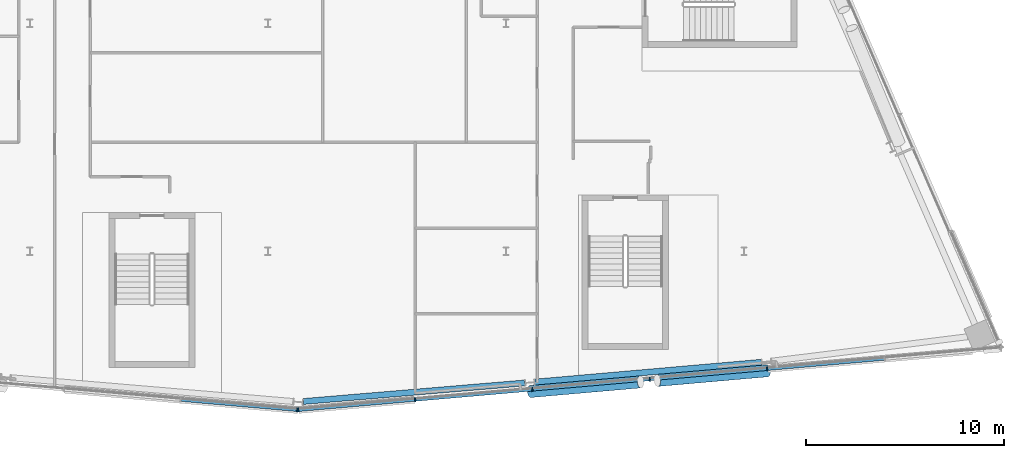
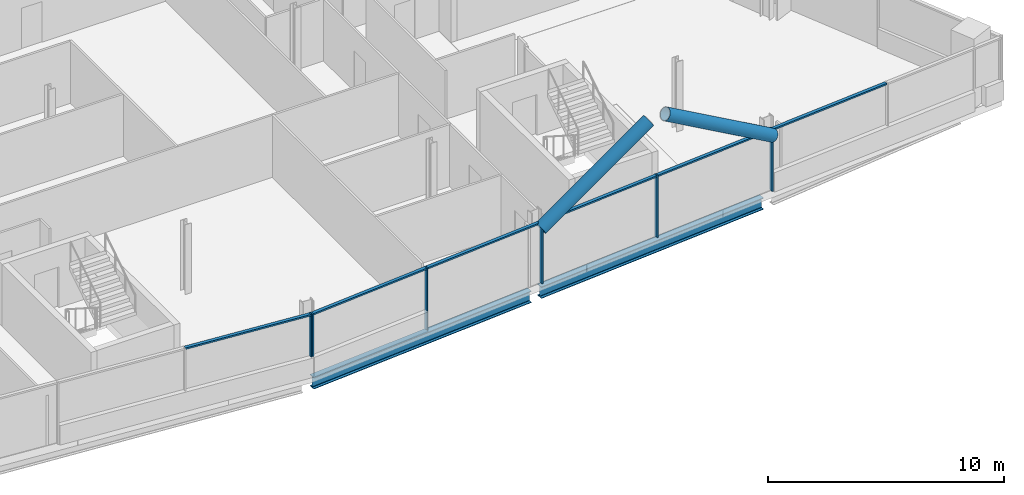
# One storey, part 8 of 25: 14 members, 2 beams, 2 elements without a shape of their own.
"""IFC4 building model written with IfcOpenShell, lengths in metres."""

from ifc_helpers import new_model, si_unit, direction, frame, origin, origin_2d, place, context, subcontext, project, spatial, rectangle, hollow_circle, i_section, extrude, material, material_profile, profile_set, type_object, element, aggregate, save


model = new_model("IFC4")

# Units and contexts
model_context = context("Model", 3, precision=1e-05, world=origin(), true_north=direction((0.0, 1.0)))
body_context = subcontext(model_context, "Body", "Model", "MODEL_VIEW")
ifc_project = project(units=[si_unit("LENGTHUNIT", "METRE"), si_unit("AREAUNIT", "SQUARE_METRE"), si_unit("VOLUMEUNIT", "CUBIC_METRE"), si_unit("PLANEANGLEUNIT", "RADIAN"), si_unit("MASSUNIT", "GRAM", prefix="KILO")], contexts=[model_context])

# Site, building, storey
site_placement = place(None, origin())
site = spatial("IfcSite", under=ifc_project, at=site_placement, CompositionType="ELEMENT")
building_placement = place(site_placement, origin())
building = spatial("IfcBuilding", under=site, at=building_placement, Name="Wharfspan Tower", CompositionType="ELEMENT")
storey_placement = place(building_placement, frame((0.0, 0.0, 225.100098)))
storey = spatial("IfcBuildingStorey", under=building, at=storey_placement, Name="L56", CompositionType="ELEMENT", Elevation=225.100098)

# Beams
ifc_material_1 = material(Name="Steel S355J2", Category="steel")
ifc_material_profile_1 = material_profile(ifc_material_1, i_section(OverallWidth=0.300049, OverallDepth=0.600098, WebThickness=0.015381, FlangeThickness=0.030029, FilletRadius=0.0271, at=origin_2d()))
ifc_profile_set_1 = profile_set([ifc_material_profile_1], Name="Steel S355J2")
beam_type = type_object("IfcBeamType", Name="Edge beam HEB 600", PredefinedType="SPANDREL", material=ifc_profile_set_1)
beam_1_placement = place(storey_placement, frame((49.783691, 3.923828, -0.700195), z_axis=(0.996517, 0.083395, 0.0), x_axis=(-0.083395, 0.996517, 0.0)))
element("IfcBeam", 1, at=beam_1_placement, inside=storey, type_object=beam_type, Name="Edge beam S2 L56 PS1.3 to PS2.1", PredefinedType="SPANDREL", context=body_context, shape_type="SweptSolid", body=[
    extrude(i_section(OverallWidth=0.300049, OverallDepth=0.600098, WebThickness=0.015381, FlangeThickness=0.030029, FilletRadius=0.0271, at=origin_2d()), origin(), (0.0, 0.0, 1.0), 11.200684),
])
beam_2_placement = place(storey_placement, frame((61.459473, 4.901855, -0.700195), z_axis=(0.996195, 0.087157, 0.0), x_axis=(-0.087157, 0.996195, 0.0)))
element("IfcBeam", 2, at=beam_2_placement, inside=storey, type_object=beam_type, Name="Edge beam S2 L56 PS2.1 to PS2.2", PredefinedType="SPANDREL", context=body_context, shape_type="SweptSolid", body=[
    extrude(i_section(OverallWidth=0.300049, OverallDepth=0.600098, WebThickness=0.015381, FlangeThickness=0.030029, FilletRadius=0.0271, at=origin_2d()), origin(), (0.0, 0.0, 1.0), 11.462402),
])

# Curtain wall, member
ifc_material_2 = material(Name="Aluminium 6063-T6", Category="aluminium")
curtain_wall_type = type_object("IfcCurtainWallType", Name="CURTAIN WALL FACETED FRONT", PredefinedType="NOTDEFINED", material=ifc_material_2)
curtain_wall_1_placement = place(storey_placement, origin())
curtain_wall_1 = element("IfcCurtainWall", 3, at=curtain_wall_1_placement, inside=storey, type_object=curtain_wall_type, Name="Curtain wall S1", PredefinedType="NOTDEFINED")
ifc_material_profile_2 = material_profile(ifc_material_2, rectangle(XDim=0.199951, YDim=0.060059, at=origin_2d()))
ifc_profile_set_2 = profile_set([ifc_material_profile_2], Name="Aluminium 6063-T6")
member_type_1 = type_object("IfcMemberType", Name="MULLION FACETED FRONT 60x200", PredefinedType="MULLION", material=ifc_profile_set_2)
member_1_placement = place(storey_placement, frame((49.470215, 3.496826, 1.0), z_axis=(0.0, 0.0, 1.0), x_axis=(0.087156, 0.996197, 0.0)))
member_1 = element("IfcMember", 4, at=member_1_placement, type_object=member_type_1, Name="Curtain wall S1 mullion 6", PredefinedType="MULLION", context=body_context, shape_type="SweptSolid", body=[
    extrude(rectangle(XDim=0.199951, YDim=0.060059, at=origin_2d()), origin(), (0.0, 0.0, 1.0), 2.199951),
])

# Curtain wall, members
curtain_wall_2_placement = place(storey_placement, origin())
curtain_wall_2 = element("IfcCurtainWall", 5, at=curtain_wall_2_placement, inside=storey, type_object=curtain_wall_type, Name="Curtain wall S2", PredefinedType="NOTDEFINED")
member_2_placement = place(storey_placement, frame((49.529785, 3.496826, 1.0), z_axis=(0.0, 0.0, 1.0), x_axis=(-0.087156, 0.996197, 0.0)))
member_2 = element("IfcMember", 6, at=member_2_placement, type_object=member_type_1, Name="Curtain wall S2 mullion 1", PredefinedType="MULLION", context=body_context, shape_type="SweptSolid", body=[
    extrude(rectangle(XDim=0.199951, YDim=0.060059, at=origin_2d()), origin(), (0.0, 0.0, 1.0), 2.199951),
])
member_3_placement = place(storey_placement, frame((55.416748, 4.011719, 0.0), z_axis=(0.0, 0.0, 1.0), x_axis=(-0.087156, 0.996197, 0.0)))
member_3 = element("IfcMember", 7, at=member_3_placement, type_object=member_type_1, Name="Curtain wall S2 mullion 2", PredefinedType="MULLION", context=body_context, shape_type="SweptSolid", body=[
    extrude(rectangle(XDim=0.199951, YDim=0.060059, at=origin_2d()), origin(), (0.0, 0.0, 1.0), 3.199951),
])
member_4_placement = place(storey_placement, frame((61.333252, 4.529541, 0.0), z_axis=(0.0, 0.0, 1.0), x_axis=(-0.087156, 0.996197, 0.0)))
member_4 = element("IfcMember", 8, at=member_4_placement, type_object=member_type_1, Name="Curtain wall S2 mullion 3", PredefinedType="MULLION", context=body_context, shape_type="SweptSolid", body=[
    extrude(rectangle(XDim=0.199951, YDim=0.060059, at=origin_2d()), origin(), (0.0, 0.0, 1.0), 3.199951),
])
member_5_placement = place(storey_placement, frame((67.25, 5.047119, 0.0), z_axis=(0.0, 0.0, 1.0), x_axis=(-0.087156, 0.996197, 0.0)))
member_5 = element("IfcMember", 9, at=member_5_placement, type_object=member_type_1, Name="Curtain wall S2 mullion 4", PredefinedType="MULLION", context=body_context, shape_type="SweptSolid", body=[
    extrude(rectangle(XDim=0.199951, YDim=0.060059, at=origin_2d()), origin(), (0.0, 0.0, 1.0), 3.199951),
])
member_6_placement = place(storey_placement, frame((73.166748, 5.564697, 0.0), z_axis=(0.0, 0.0, 1.0), x_axis=(-0.087156, 0.996197, 0.0)))
member_6 = element("IfcMember", 10, at=member_6_placement, type_object=member_type_1, Name="Curtain wall S2 mullion 5", PredefinedType="MULLION", context=body_context, shape_type="SweptSolid", body=[
    extrude(rectangle(XDim=0.199951, YDim=0.060059, at=origin_2d()), origin(), (0.0, 0.0, 1.0), 3.199951),
])

# Members
ifc_material_3 = material(Name="Steel S460NH", Category="steel")
ifc_material_profile_3 = material_profile(ifc_material_3, hollow_circle(Radius=0.304932, WallThickness=0.024902, at=origin_2d()))
ifc_profile_set_3 = profile_set([ifc_material_profile_3], Name="Steel S460NH")
member_type_2 = type_object("IfcMemberType", Name="Mega brace CHS 610x25", PredefinedType="BRACE", material=ifc_profile_set_3)
for number, where, z_axis, x_axis, name in (
    (11, (61.241943, 4.426025, 2.899902), (0.853829, 0.074698, 0.515166), (-0.087155, 0.996197, 3e-06), "Mega brace S2 L57 part 1"),
    (12, (73.175049, 5.469971, 2.899902), (-0.853829, -0.074698, 0.515166), (0.087155, -0.996197, 3e-06), "Mega brace S2 L57 part 3"),
):
    element("IfcMember", number, at=place(storey_placement, frame(where, z_axis=z_axis, x_axis=x_axis)), inside=storey, type_object=member_type_2, Name=name, PredefinedType="BRACE", context=body_context, shape_type="SweptSolid", body=[
        extrude(hollow_circle(Radius=0.304932, WallThickness=0.024902, at=origin_2d()), origin(), (0.0, 0.0, 1.0), 6.484375),
    ])

# Member
ifc_material_profile_4 = material_profile(ifc_material_2, rectangle(XDim=0.159912, YDim=0.080078, at=origin_2d()))
ifc_profile_set_4 = profile_set([ifc_material_profile_4], Name="Aluminium 6063-T6")
member_type_3 = type_object("IfcMemberType", Name="TRANSOM FACETED FRONT 80x160", PredefinedType="USERDEFINED", material=ifc_profile_set_4)
member_7_placement = place(storey_placement, frame((43.629883, 4.007812, 3.159912), z_axis=(0.996192, -0.087191, 0.0), x_axis=(0.087191, 0.996192, 0.0)))
member_7 = element("IfcMember", 13, at=member_7_placement, type_object=member_type_3, Name="Curtain wall S1 transom 5", ObjectType="TRANSOM", PredefinedType="USERDEFINED", context=body_context, shape_type="SweptSolid", body=[
    extrude(rectangle(XDim=0.159912, YDim=0.080078, at=origin_2d()), origin(), (0.0, 0.0, 1.0), 5.83252),
])

aggregate(curtain_wall_1, [member_1, member_7])

member_8_placement = place(storey_placement, frame((49.559814, 3.499268, 3.159912), z_axis=(0.996191, 0.087193, 0.0), x_axis=(-0.087193, 0.996191, 0.0)))
member_8 = element("IfcMember", 14, at=member_8_placement, type_object=member_type_3, Name="Curtain wall S2 transom 1", ObjectType="TRANSOM", PredefinedType="USERDEFINED", context=body_context, shape_type="SweptSolid", body=[
    extrude(rectangle(XDim=0.159912, YDim=0.080078, at=origin_2d()), origin(), (0.0, 0.0, 1.0), 5.849121),
])

member_9_placement = place(storey_placement, frame((55.446533, 4.014404, 3.159912), z_axis=(0.996194, 0.087162, 0.0), x_axis=(-0.087162, 0.996194, 0.0)))
member_9 = element("IfcMember", 15, at=member_9_placement, type_object=member_type_3, Name="Curtain wall S2 transom 2", ObjectType="TRANSOM", PredefinedType="USERDEFINED", context=body_context, shape_type="SweptSolid", body=[
    extrude(rectangle(XDim=0.159912, YDim=0.080078, at=origin_2d()), origin(), (0.0, 0.0, 1.0), 5.879395),
])

member_10_placement = place(storey_placement, frame((61.363281, 4.531982, 3.159912), z_axis=(0.996194, 0.087162, 0.0), x_axis=(-0.087162, 0.996194, 0.0)))
member_10 = element("IfcMember", 16, at=member_10_placement, type_object=member_type_3, Name="Curtain wall S2 transom 3", ObjectType="TRANSOM", PredefinedType="USERDEFINED", context=body_context, shape_type="SweptSolid", body=[
    extrude(rectangle(XDim=0.159912, YDim=0.080078, at=origin_2d()), origin(), (0.0, 0.0, 1.0), 5.879395),
])

member_11_placement = place(storey_placement, frame((67.279785, 5.049805, 3.159912), z_axis=(0.996198, 0.087121, 0.0), x_axis=(-0.087121, 0.996198, 0.0)))
member_11 = element("IfcMember", 17, at=member_11_placement, type_object=member_type_3, Name="Curtain wall S2 transom 4", ObjectType="TRANSOM", PredefinedType="USERDEFINED", context=body_context, shape_type="SweptSolid", body=[
    extrude(rectangle(XDim=0.159912, YDim=0.080078, at=origin_2d()), origin(), (0.0, 0.0, 1.0), 5.879395),
])

member_12_placement = place(storey_placement, frame((73.196533, 5.567383, 3.159912), z_axis=(0.996194, 0.087162, 0.0), x_axis=(-0.087162, 0.996194, 0.0)))
member_12 = element("IfcMember", 18, at=member_12_placement, type_object=member_type_3, Name="Curtain wall S2 transom 5", ObjectType="TRANSOM", PredefinedType="USERDEFINED", context=body_context, shape_type="SweptSolid", body=[
    extrude(rectangle(XDim=0.159912, YDim=0.080078, at=origin_2d()), origin(), (0.0, 0.0, 1.0), 5.879395),
])

aggregate(curtain_wall_2, [member_2, member_3, member_4, member_5, member_6, member_8, member_9, member_10, member_11, member_12])

save(model, "model.ifc")
